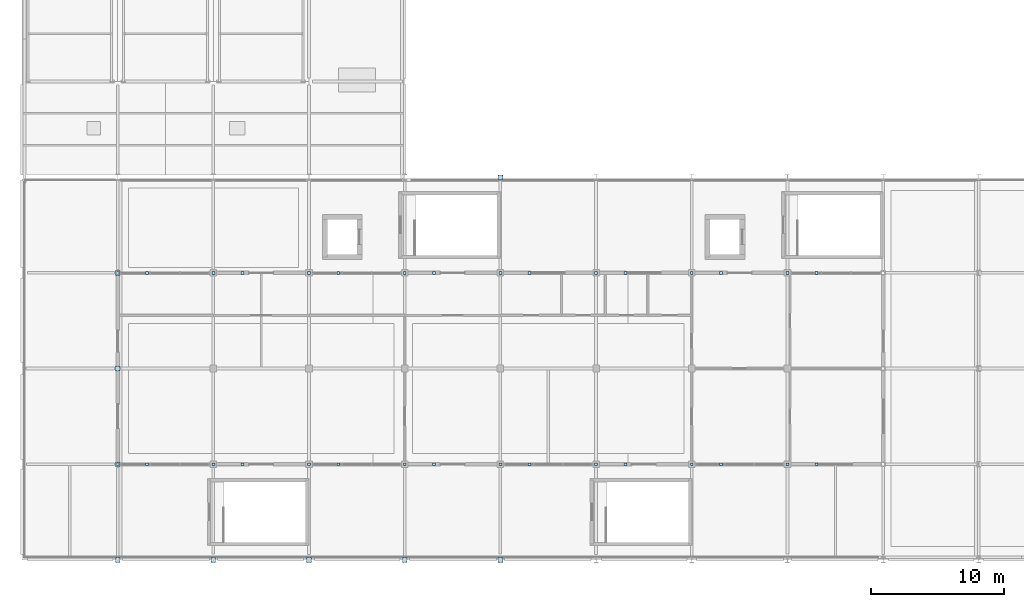
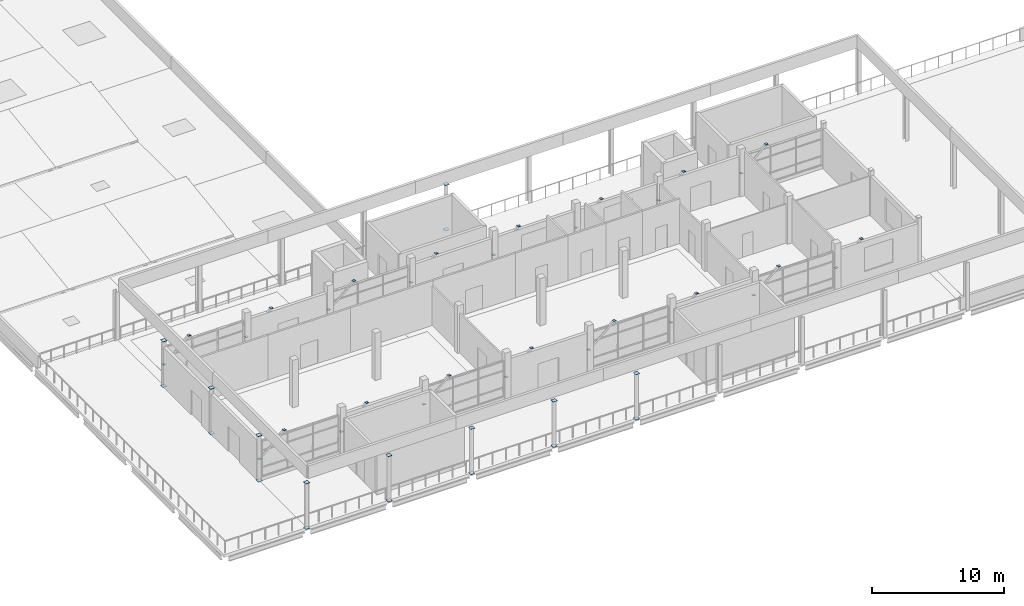
# One storey, part 18 of 32: 50 plates.
"""IFC4 building model written with IfcOpenShell, lengths in metres."""

from ifc_helpers import new_model, si_unit, direction, frame, origin, origin_2d, place, context, subcontext, project, spatial, rectangle, extrude, material, layer, layer_set, type_object, element, save


model = new_model("IFC4")

# Units and contexts
model_context = context("Model", 3, precision=1e-05, world=origin(), true_north=direction((0.0, 1.0)))
body_context = subcontext(model_context, "Body", "Model", "MODEL_VIEW")
ifc_project = project(units=[si_unit("LENGTHUNIT", "METRE"), si_unit("AREAUNIT", "SQUARE_METRE"), si_unit("VOLUMEUNIT", "CUBIC_METRE"), si_unit("PLANEANGLEUNIT", "RADIAN"), si_unit("MASSUNIT", "GRAM", prefix="KILO")], contexts=[model_context])

# Site, building, storey
site_placement = place(None, origin())
site = spatial("IfcSite", under=ifc_project, at=site_placement, CompositionType="ELEMENT")
building_placement = place(site_placement, origin())
building = spatial("IfcBuilding", under=site, at=building_placement, Name="Sardonyx Promenade Sports Hall", CompositionType="ELEMENT")
storey_placement = place(building_placement, frame((0.0, 0.0, 20.39990234375)))
storey = spatial("IfcBuildingStorey", under=building, at=storey_placement, Name="L04", CompositionType="ELEMENT", Elevation=20.39990234375)

# Plates
ifc_material_1 = material(Name="Steel S355JR", Category="steel")
ifc_layer_1 = layer(ifc_material_1, 0.02001953125)
ifc_layer_set_1 = layer_set([ifc_layer_1], Name="Plt_EndCap_EC1")
plate_type_1 = type_object("IfcPlateType", Name="Plt_EndCap_EC1", PredefinedType="USERDEFINED", material=ifc_layer_set_1)
for number, where, z_axis, x_axis, name in (
    (1, (7.199951171875, 0.0, -0.02001953125), (0.0, 0.0, 1.0), (1.0, 0.0, 0.0), "Column end-cap plate EC1 L04 #1"),
    (2, (7.199951171875, 0.0, 4.170166015625), (0.0, 0.0, 1.0), (1.0, 0.0, 0.0), "Column end-cap plate EC1 L04 #2"),
    (3, (7.199951171875, 7.199951171875, -0.02001953125), (0.0, 0.0, 1.0), (1.0, 0.0, 0.0), "Column end-cap plate EC1 L04 #3"),
    (4, (7.199951171875, 7.199951171875, 4.170166015625), (0.0, 0.0, 1.0), (1.0, 0.0, 0.0), "Column end-cap plate EC1 L04 #4"),
    (5, (7.199951171875, 14.39990234375, -0.02001953125), (0.0, 0.0, 1.0), (1.0, 0.0, 0.0), "Column end-cap plate EC1 L04 #5"),
    (6, (7.199951171875, 14.39990234375, 4.170166015625), (0.0, 0.0, 1.0), (1.0, 0.0, 0.0), "Column end-cap plate EC1 L04 #6"),
    (7, (7.199951171875, 21.60009765625, -0.02001953125), (0.0, 0.0, 1.0), (1.0, 0.0, 0.0), "Column end-cap plate EC1 L04 #7"),
    (8, (7.199951171875, 21.60009765625, 4.170166015625), (0.0, 0.0, 1.0), (1.0, 0.0, 0.0), "Column end-cap plate EC1 L04 #8"),
    (9, (14.39990234375, 0.0, -0.02001953125), (0.0, 0.0, 1.0), (1.0, 0.0, 0.0), "Column end-cap plate EC1 L04 #9"),
    (10, (14.39990234375, 0.0, 4.170166015625), (0.0, 0.0, 1.0), (1.0, 0.0, 0.0), "Column end-cap plate EC1 L04 #10"),
    (11, (21.60009765625, 0.0, -0.02001953125), (0.0, 0.0, 1.0), (1.0, 0.0, 0.0), "Column end-cap plate EC1 L04 #11"),
    (12, (21.60009765625, 0.0, 4.170166015625), (0.0, 0.0, 1.0), (1.0, 0.0, 0.0), "Column end-cap plate EC1 L04 #12"),
    (13, (28.800048828125, 0.0, -0.02001953125), (0.0, 0.0, 1.0), (1.0, 0.0, 0.0), "Column end-cap plate EC1 L04 #13"),
    (14, (28.800048828125, 0.0, 4.170166015625), (0.0, 0.0, 1.0), (1.0, 0.0, 0.0), "Column end-cap plate EC1 L04 #14"),
    (15, (36.0, 0.0, -0.02001953125), (0.0, 0.0, 1.0), (1.0, 0.0, 0.0), "Column end-cap plate EC1 L04 #15"),
    (16, (36.0, 0.0, 4.170166015625), (0.0, 0.0, 1.0), (1.0, 0.0, 0.0), "Column end-cap plate EC1 L04 #16"),
    (17, (36.0, 28.800048828125, -0.02001953125), (0.0, 0.0, 1.0), (1.0, 0.0, 0.0), "Column end-cap plate EC1 L04 #17"),
    (18, (36.0, 28.800048828125, 4.170166015625), (0.0, 0.0, 1.0), (1.0, 0.0, 0.0), "Column end-cap plate EC1 L04 #18"),
):
    element("IfcPlate", number, at=place(storey_placement, frame(where, z_axis=z_axis, x_axis=x_axis)), inside=storey, type_object=plate_type_1, Name=name, ObjectType="END CAP PLATE", PredefinedType="USERDEFINED", context=body_context, shape_type="SweptSolid", body=[
        extrude(rectangle(XDim=0.360107421875, YDim=0.360107421875, at=origin_2d()), origin(), (0.0, 0.0, 1.0), 0.02001953125),
    ])
ifc_material_2 = material(Name="Steel S355JR", Category="steel")
ifc_layer_2 = layer(ifc_material_2, 0.011962890625)
ifc_layer_set_2 = layer_set([ifc_layer_2], Name="Plt_EndCap_EC3")
plate_type_2 = type_object("IfcPlateType", Name="Plt_EndCap_EC3", PredefinedType="USERDEFINED", material=ifc_layer_set_2)
for number, where, z_axis, x_axis, name in (
    (19, (7.199951171875, 7.199951171875, 1.994140625), (0.0, 0.0, 1.0), (1.0, 0.0, 0.0), "Knee-brace end-cap #12B"),
    (20, (9.39990234375, 7.199951171875, 3.89404296875), (0.0, 0.0, 1.0), (1.0, 0.0, 0.0), "Knee-brace end-cap #12T"),
    (21, (7.199951171875, 21.60009765625, 1.994140625), (0.0, 0.0, 1.0), (1.0, 0.0, 0.0), "Knee-brace end-cap #13B"),
    (22, (9.39990234375, 21.60009765625, 3.89404296875), (0.0, 0.0, 1.0), (1.0, 0.0, 0.0), "Knee-brace end-cap #13T"),
    (23, (14.39990234375, 7.199951171875, 1.994140625), (0.0, 0.0, 1.0), (1.0, 0.0, 0.0), "Knee-brace end-cap #14B"),
    (24, (16.60009765625, 7.199951171875, 3.89404296875), (0.0, 0.0, 1.0), (1.0, 0.0, 0.0), "Knee-brace end-cap #14T"),
    (25, (14.39990234375, 21.60009765625, 1.994140625), (0.0, 0.0, 1.0), (1.0, 0.0, 0.0), "Knee-brace end-cap #15B"),
    (26, (16.60009765625, 21.60009765625, 3.89404296875), (0.0, 0.0, 1.0), (1.0, 0.0, 0.0), "Knee-brace end-cap #15T"),
    (27, (21.60009765625, 7.199951171875, 1.994140625), (0.0, 0.0, 1.0), (1.0, 0.0, 0.0), "Knee-brace end-cap #16B"),
    (28, (23.800048828125, 7.199951171875, 3.89404296875), (0.0, 0.0, 1.0), (1.0, 0.0, 0.0), "Knee-brace end-cap #16T"),
    (29, (21.60009765625, 21.60009765625, 1.994140625), (0.0, 0.0, 1.0), (1.0, 0.0, 0.0), "Knee-brace end-cap #17B"),
    (30, (23.800048828125, 21.60009765625, 3.89404296875), (0.0, 0.0, 1.0), (1.0, 0.0, 0.0), "Knee-brace end-cap #17T"),
    (31, (28.800048828125, 7.199951171875, 1.994140625), (0.0, 0.0, 1.0), (1.0, 0.0, 0.0), "Knee-brace end-cap #18B"),
    (32, (31.0, 7.199951171875, 3.89404296875), (0.0, 0.0, 1.0), (1.0, 0.0, 0.0), "Knee-brace end-cap #18T"),
    (33, (28.800048828125, 21.60009765625, 1.994140625), (0.0, 0.0, 1.0), (1.0, 0.0, 0.0), "Knee-brace end-cap #19B"),
    (34, (31.0, 21.60009765625, 3.89404296875), (0.0, 0.0, 1.0), (1.0, 0.0, 0.0), "Knee-brace end-cap #19T"),
    (35, (36.0, 7.199951171875, 1.994140625), (0.0, 0.0, 1.0), (1.0, 0.0, 0.0), "Knee-brace end-cap #20B"),
    (36, (38.199951171875, 7.199951171875, 3.89404296875), (0.0, 0.0, 1.0), (1.0, 0.0, 0.0), "Knee-brace end-cap #20T"),
    (37, (36.0, 21.60009765625, 1.994140625), (0.0, 0.0, 1.0), (1.0, 0.0, 0.0), "Knee-brace end-cap #21B"),
    (38, (38.199951171875, 21.60009765625, 3.89404296875), (0.0, 0.0, 1.0), (1.0, 0.0, 0.0), "Knee-brace end-cap #21T"),
    (39, (43.199951171875, 7.199951171875, 1.994140625), (0.0, 0.0, 1.0), (1.0, 0.0, 0.0), "Knee-brace end-cap #22B"),
    (40, (45.39990234375, 7.199951171875, 3.89404296875), (0.0, 0.0, 1.0), (1.0, 0.0, 0.0), "Knee-brace end-cap #22T"),
    (41, (43.199951171875, 21.60009765625, 1.994140625), (0.0, 0.0, 1.0), (1.0, 0.0, 0.0), "Knee-brace end-cap #23B"),
    (42, (45.39990234375, 21.60009765625, 3.89404296875), (0.0, 0.0, 1.0), (1.0, 0.0, 0.0), "Knee-brace end-cap #23T"),
    (43, (50.39990234375, 7.199951171875, 1.994140625), (0.0, 0.0, 1.0), (1.0, 0.0, 0.0), "Knee-brace end-cap #24B"),
    (44, (52.60009765625, 7.199951171875, 3.89404296875), (0.0, 0.0, 1.0), (1.0, 0.0, 0.0), "Knee-brace end-cap #24T"),
    (45, (50.39990234375, 21.60009765625, 1.994140625), (0.0, 0.0, 1.0), (1.0, 0.0, 0.0), "Knee-brace end-cap #25B"),
    (46, (52.60009765625, 21.60009765625, 3.89404296875), (0.0, 0.0, 1.0), (1.0, 0.0, 0.0), "Knee-brace end-cap #25T"),
    (47, (57.60009765625, 7.199951171875, 1.994140625), (0.0, 0.0, 1.0), (1.0, 0.0, 0.0), "Knee-brace end-cap #26B"),
    (48, (59.800048828125, 7.199951171875, 3.89404296875), (0.0, 0.0, 1.0), (1.0, 0.0, 0.0), "Knee-brace end-cap #26T"),
    (49, (57.60009765625, 21.60009765625, 1.994140625), (0.0, 0.0, 1.0), (1.0, 0.0, 0.0), "Knee-brace end-cap #27B"),
    (50, (59.800048828125, 21.60009765625, 3.89404296875), (0.0, 0.0, 1.0), (1.0, 0.0, 0.0), "Knee-brace end-cap #27T"),
):
    element("IfcPlate", number, at=place(storey_placement, frame(where, z_axis=z_axis, x_axis=x_axis)), inside=storey, type_object=plate_type_2, Name=name, ObjectType="END CAP PLATE", PredefinedType="USERDEFINED", context=body_context, shape_type="SweptSolid", body=[
        extrude(rectangle(XDim=0.219970703125, YDim=0.219970703125, at=origin_2d()), origin(), (0.0, 0.0, 1.0), 0.011962890625),
    ])

save(model, "model.ifc")
